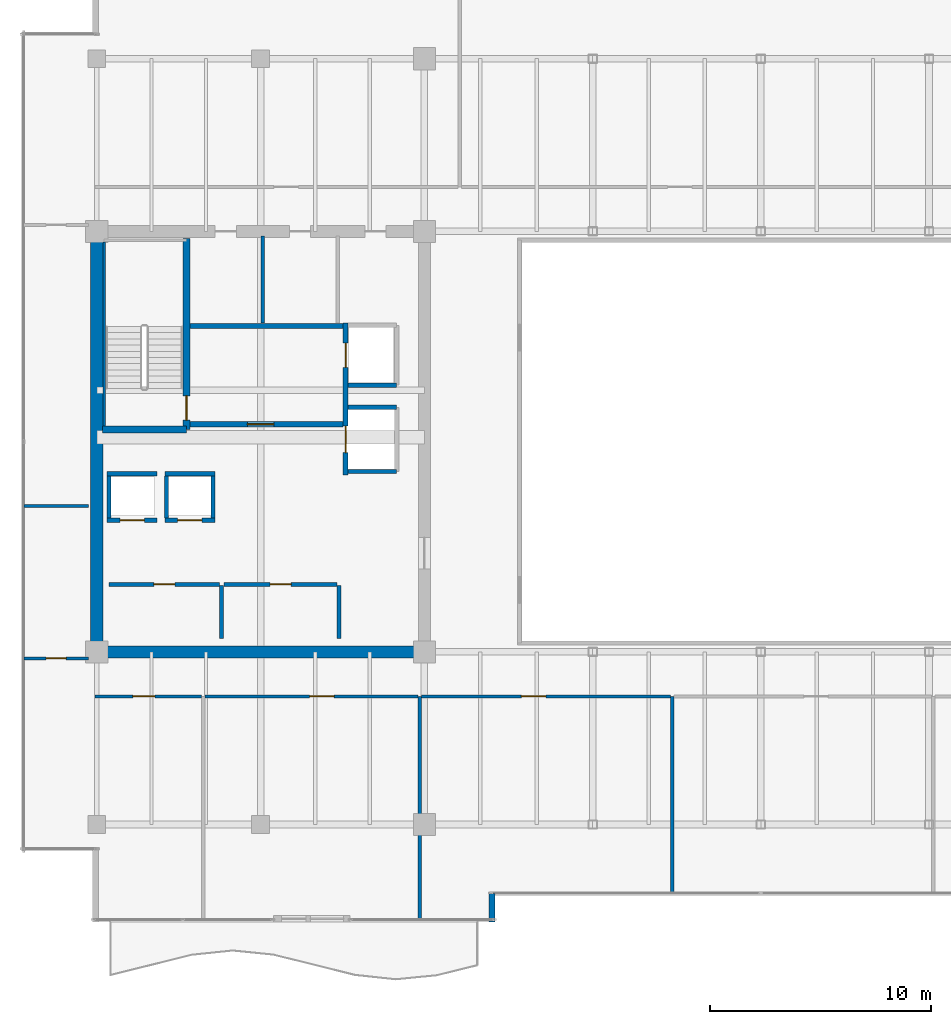
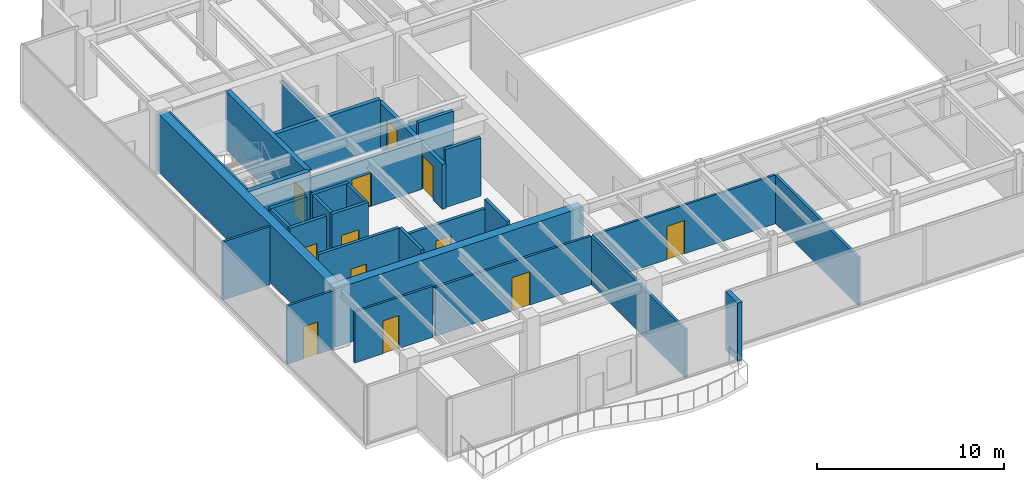
# One storey, part 28 of 34: 31 walls, 12 doors, 12 openings.
"""IFC4 building model written with IfcOpenShell, lengths in metres."""

import ifcopenshell
import ifcopenshell.guid

model = None  # the IFC model being written
_history = None  # IfcOwnerHistory: only IFC2X3 demands one
_inside = {}  # id of a spatial element -> (the spatial element, [elements in it])
_under = {}  # id of a project, library or spatial element -> (it, [spatial elements below it])
_declared = {}  # id of a project -> (the project, [libraries it declares])
_typed = {}  # id of a type object -> (the type object, [elements of that type])
_made_of = {}  # id of a material, layer set ... -> (it, [elements and type objects made of it])


def new_model(schema):
    """Start an empty IFC model of exactly this schema.

    Asked for "IFC4X3", IfcOpenShell would pick the latest addendum, in which some entities
    have other attributes; the version numbers below select the first issue.
    IFC2X3 requires an IfcOwnerHistory on every rooted entity: one is made here for all.
    """
    global model, _history
    if schema == "IFC4X3":
        model = ifcopenshell.file(schema_version=(4, 3, 0, 0))
    else:
        model = ifcopenshell.file(schema=schema)
    _inside.clear()
    _under.clear()
    _declared.clear()
    _typed.clear()
    _made_of.clear()
    _history = None
    if model.schema == "IFC2X3":
        org = make("IfcOrganization", Name="unknown")
        user = make(
            "IfcPersonAndOrganization",
            ThePerson=make("IfcPerson", FamilyName="unknown"),
            TheOrganization=org,
        )
        app = make(
            "IfcApplication",
            ApplicationDeveloper=org,
            Version="unknown",
            ApplicationFullName="unknown",
            ApplicationIdentifier="unknown",
        )
        _history = make(
            "IfcOwnerHistory",
            OwningUser=user,
            OwningApplication=app,
            ChangeAction="ADDED",
            CreationDate=0,
        )
    return model


def make(cls, **values):
    """One entity of the class cls with the attributes given. An attribute that is None is left unset."""
    return model.create_entity(
        cls, **{name: value for name, value in values.items() if value is not None}
    )


def rooted(cls, **values):
    """An entity with a GlobalId (a new one), such as an element, a storey or a relation."""
    return make(cls, GlobalId=ifcopenshell.guid.new(), OwnerHistory=_history, **values)


def si_unit(unit_type, name, prefix=None):
    """IfcSIUnit, for example si_unit("LENGTHUNIT", "METRE", prefix="MILLI")."""
    return make("IfcSIUnit", UnitType=unit_type, Prefix=prefix, Name=name)


def assignment(units):
    """IfcUnitAssignment: the units of a project."""
    return None if units is None else make("IfcUnitAssignment", Units=units)


def point(xyz):
    """IfcCartesianPoint."""
    return None if xyz is None else make("IfcCartesianPoint", Coordinates=xyz)


def direction(xyz):
    """IfcDirection."""
    return None if xyz is None else make("IfcDirection", DirectionRatios=xyz)


def frame(location, z_axis=None, x_axis=None):
    """IfcAxis2Placement3D, a coordinate frame: its origin and axes. An axis left out is left unset."""
    return make(
        "IfcAxis2Placement3D",
        Location=point(location),
        Axis=direction(z_axis),
        RefDirection=direction(x_axis),
    )


def frame_2d(location, x_axis=None):
    """IfcAxis2Placement2D, a coordinate frame in the plane: its origin and x axis."""
    return make(
        "IfcAxis2Placement2D", Location=point(location), RefDirection=direction(x_axis)
    )


def origin():
    """The frame at (0, 0, 0) with its axes left unset."""
    return frame((0.0, 0.0, 0.0))


def place(relative_to, where):
    """IfcLocalPlacement: puts the frame where relative to a parent placement (None: the world)."""
    return make(
        "IfcLocalPlacement", PlacementRelTo=relative_to, RelativePlacement=where
    )


def context(
    kind, dimensions, precision=None, world=None, true_north=None, identifier=None
):
    """IfcGeometricRepresentationContext, for example the 3D "Model" context."""
    return make(
        "IfcGeometricRepresentationContext",
        ContextIdentifier=identifier,
        ContextType=kind,
        CoordinateSpaceDimension=dimensions,
        Precision=precision,
        WorldCoordinateSystem=world,
        TrueNorth=true_north,
    )


def subcontext(parent, identifier, kind, view, scale=None):
    """IfcGeometricRepresentationSubContext, for example "Body" below "Model"."""
    return make(
        "IfcGeometricRepresentationSubContext",
        ContextIdentifier=identifier,
        ContextType=kind,
        ParentContext=parent,
        TargetScale=scale,
        TargetView=view,
    )


def project(units=None, contexts=None):
    """IfcProject with its units and contexts."""
    return rooted(
        "IfcProject",
        Name="project",
        RepresentationContexts=contexts,
        UnitsInContext=assignment(units),
    )


def spatial(cls, under=None, at=None, **own):
    """A site, building, storey or space (cls), placed at a placement, below another one or the project."""
    s = rooted(cls, ObjectPlacement=at, **own)
    if under is not None:
        _under.setdefault(under.id(), (under, []))[1].append(s)
    return s


def profile(cls, at=None, kind="AREA", **sizes):
    """A parametric profile (cls). Its sizes go by their IFC names, for example OverallWidth=200.0."""
    return make(cls, ProfileType=kind, Position=at, **sizes)


def rectangle(**sizes):
    """IfcRectangleProfileDef."""
    return profile("IfcRectangleProfileDef", **sizes)


def extrude(swept, where, along, depth):
    """IfcExtrudedAreaSolid: the profile swept, set in the frame where, extruded along a direction by depth."""
    return make(
        "IfcExtrudedAreaSolid",
        SweptArea=swept,
        Position=where,
        ExtrudedDirection=direction(along),
        Depth=depth,
    )


def shape(context_of_items, identifier, shape_type, items):
    """IfcShapeRepresentation: the items that make up one representation, for example the "Body"."""
    return make(
        "IfcShapeRepresentation",
        ContextOfItems=context_of_items,
        RepresentationIdentifier=identifier,
        RepresentationType=shape_type,
        Items=items,
    )


def source(mapping_origin, context_of_items, identifier, shape_type, items):
    """IfcRepresentationMap: a shape defined once, which mapped items show again and again."""
    return make(
        "IfcRepresentationMap",
        MappingOrigin=mapping_origin,
        MappedRepresentation=shape(context_of_items, identifier, shape_type, items),
    )


def transform(
    local_origin,
    x_axis=None,
    y_axis=None,
    z_axis=None,
    scale=None,
    scale2=None,
    scale3=None,
    uniform=True,
):
    """IfcCartesianTransformationOperator3D, or its non-uniform kind. x_axis, y_axis, z_axis: its Axis1, 2, 3."""
    if uniform:
        return make(
            "IfcCartesianTransformationOperator3D",
            Axis1=direction(x_axis),
            Axis2=direction(y_axis),
            LocalOrigin=point(local_origin),
            Scale=scale,
            Axis3=direction(z_axis),
        )
    return make(
        "IfcCartesianTransformationOperator3DnonUniform",
        Axis1=direction(x_axis),
        Axis2=direction(y_axis),
        LocalOrigin=point(local_origin),
        Scale=scale,
        Axis3=direction(z_axis),
        Scale2=scale2,
        Scale3=scale3,
    )


def mapped(mapping_source, mapping_target):
    """IfcMappedItem: shows the shape of a source again, moved by a transform."""
    return make(
        "IfcMappedItem", MappingSource=mapping_source, MappingTarget=mapping_target
    )


def material(Name=None, Category=None):
    """IfcMaterial."""
    return make("IfcMaterial", Name=Name, Category=Category)


def layer(
    of_material, thickness, ventilated=None, Name=None, Category=None, Priority=None
):
    """IfcMaterialLayer: one layer of a wall or slab, of a material (None: an air gap)."""
    return make(
        "IfcMaterialLayer",
        Material=of_material,
        LayerThickness=thickness,
        IsVentilated=ventilated,
        Name=Name,
        Category=Category,
        Priority=Priority,
    )


def layer_set(layers, Name=None):
    """IfcMaterialLayerSet."""
    return make("IfcMaterialLayerSet", MaterialLayers=layers, LayerSetName=Name)


def made_of(thing, what):
    """Note that an element or type object is made of a material, layer set ...; save() writes the relation."""
    if what is not None:
        _made_of.setdefault(what.id(), (what, []))[1].append(thing)
    return thing


def type_object(cls, material=None, **own):
    """A type object (cls), such as IfcWallType, which elements share."""
    return made_of(rooted(cls, **own), material)


def type_shapes(of_type, sources):
    """Give a type object the sources (RepresentationMaps) that its elements show as mapped items."""
    of_type.RepresentationMaps = sources


def element(
    cls,
    number,
    at=None,
    inside=None,
    cuts=None,
    type_object=None,
    material=None,
    context=None,
    identifier="Body",
    shape_type=None,
    held_by="IfcProductDefinitionShape",
    body=None,
    shapes=None,
    **own,
):
    """One element of the class cls, such as IfcWall. Its Tag is "e" and its number.

    at: its placement. inside: the storey or other place that contains it. cuts: it is an
    opening in that element (IfcRelVoidsElement). A single representation is given by context,
    identifier, shape_type and body (its items); several are given by shapes. held_by: the class
    of the entity that holds the representations. save() writes the other relations.
    """
    e = rooted(cls, Tag="e%d" % number, ObjectPlacement=at, **own)
    if body is not None:
        shapes = [shape(context, identifier, shape_type, body)]
    if shapes is not None:
        e.Representation = make(held_by, Representations=shapes)
    if inside is not None:
        _inside.setdefault(inside.id(), (inside, []))[1].append(e)
    if cuts is not None:
        rooted(
            "IfcRelVoidsElement", RelatingBuildingElement=cuts, RelatedOpeningElement=e
        )
    if type_object is not None:
        _typed.setdefault(type_object.id(), (type_object, []))[1].append(e)
    return made_of(e, material)


def fill(opening, filler):
    """IfcRelFillsElement: the door or window that sits in an opening."""
    return rooted(
        "IfcRelFillsElement",
        RelatingOpeningElement=opening,
        RelatedBuildingElement=filler,
    )


def aggregate(whole, parts):
    """IfcRelAggregates: a whole, such as a stair, and the parts it consists of."""
    return rooted("IfcRelAggregates", RelatingObject=whole, RelatedObjects=parts)


def save(model, path):
    """Write the relations noted so far, then the file.

    IfcRelAggregates (storeys below a building ...), IfcRelContainedInSpatialStructure (elements
    in a storey), IfcRelDefinesByType, IfcRelAssociatesMaterial and IfcRelDeclares: one each for
    every whole, place, type object, material and project.
    """
    for whole, parts in _under.values():
        aggregate(whole, parts)
    for where, things in _inside.values():
        rooted(
            "IfcRelContainedInSpatialStructure",
            RelatedElements=things,
            RelatingStructure=where,
        )
    for kind, things in _typed.values():
        rooted("IfcRelDefinesByType", RelatedObjects=things, RelatingType=kind)
    for what, things in _made_of.values():
        rooted("IfcRelAssociatesMaterial", RelatedObjects=things, RelatingMaterial=what)
    for by, libraries in _declared.values():
        rooted("IfcRelDeclares", RelatingContext=by, RelatedDefinitions=libraries)
    model.write(path)


model = new_model("IFC4")

# Units and contexts
model_context = context("Model", 3, precision=1e-05, world=origin(), true_north=direction((0.0, 1.0)))
body_context = subcontext(model_context, "Body", "Model", "MODEL_VIEW")
ifc_project = project(units=[si_unit("LENGTHUNIT", "METRE"), si_unit("AREAUNIT", "SQUARE_METRE"), si_unit("VOLUMEUNIT", "CUBIC_METRE"), si_unit("PLANEANGLEUNIT", "RADIAN"), si_unit("MASSUNIT", "GRAM", prefix="KILO")], contexts=[model_context])

# Site, building, storey
site_placement = place(None, origin())
site = spatial("IfcSite", under=ifc_project, at=site_placement, CompositionType="ELEMENT")
building_placement = place(site_placement, origin())
building = spatial("IfcBuilding", under=site, at=building_placement, Name="Haelvirn Gate Laboratories", CompositionType="ELEMENT")
storey_placement = place(building_placement, frame((0.0, 0.0, 205.5)))
storey = spatial("IfcBuildingStorey", under=building, at=storey_placement, Name="L49", CompositionType="ELEMENT", Elevation=205.5)

# Walls
ifc_material_1 = material(Name="Thermally-broken bronze aluminium rainscreen & mineral wool", Category="aluminium")
ifc_layer_1 = layer(ifc_material_1, 0.280029296875, Name="EW-TERR-280")
ifc_layer_set_1 = layer_set([ifc_layer_1], Name="Thermally-broken bronze aluminium rainscreen & mineral wool")
wall_type_1 = type_object("IfcWallType", Name="EW-TERR-280", PredefinedType="STANDARD", material=ifc_layer_set_1)
wall_1_placement = place(storey_placement, frame((25.260009765625, 2.60009765625, 0.0), z_axis=(0.0, 0.0, 1.0), x_axis=(0.0, 1.0, 0.0)))
element("IfcWall", 1, at=wall_1_placement, inside=storey, type_object=wall_type_1, Name="L49 Atrium Recess Bronze Return Wall 01", PredefinedType="STANDARD", context=body_context, shape_type="SweptSolid", body=[
    extrude(rectangle(XDim=1.29296875, YDim=0.280029296875, at=frame_2d((0.646484375, 0.0))), origin(), (0.0, 0.0, 1.0), 3.800048828125),
])
ifc_material_2 = material(Name="Double-layer acoustic gypsum laboratory partition", Category="gypsum")
ifc_layer_2 = layer(ifc_material_2, 0.159912109375, Name="IW-ACOUST-160")
ifc_layer_set_2 = layer_set([ifc_layer_2], Name="Double-layer acoustic gypsum laboratory partition")
wall_type_2 = type_object("IfcWallType", Name="IW-ACOUST-160", PredefinedType="PARTITIONING", material=ifc_layer_set_2)
wall_2_placement = place(storey_placement, frame((22.0, 2.7099609375, 0.0), z_axis=(0.0, 0.0, 1.0), x_axis=(0.0, 1.0, 0.0)))
element("IfcWall", 2, at=wall_2_placement, inside=storey, type_object=wall_type_2, Name="L49 Interior Wall IW-L49-SDIV-02", PredefinedType="PARTITIONING", context=body_context, shape_type="SweptSolid", body=[
    extrude(rectangle(XDim=10.080078125, YDim=0.159912109375, at=frame_2d((5.0400390625, 0.0))), origin(), (0.0, 0.0, 1.0), 3.135009765625),
])
wall_3_placement = place(storey_placement, frame((33.39990234375, 3.909912109375, 0.0), z_axis=(0.0, 0.0, 1.0), x_axis=(0.0, 1.0, 0.0)))
element("IfcWall", 3, at=wall_3_placement, inside=storey, type_object=wall_type_2, Name="L49 Interior Wall IW-L49-SDIV-03", PredefinedType="PARTITIONING", context=body_context, shape_type="SweptSolid", body=[
    extrude(rectangle(XDim=8.880126953125, YDim=0.159912109375, at=frame_2d((4.43994140625, 0.0))), origin(), (0.0, 0.0, 1.0), 3.135009765625),
])

# Wall, opening, door
ifc_material_3 = material(Name="Acoustic mineral-wool gypsum board partition", Category="gypsum")
ifc_layer_3 = layer(ifc_material_3, 0.139892578125, Name="IW-PART-140")
ifc_layer_set_3 = layer_set([ifc_layer_3], Name="Acoustic mineral-wool gypsum board partition")
wall_type_3 = type_object("IfcWallType", Name="IW-PART-140", PredefinedType="PARTITIONING", material=ifc_layer_set_3)
wall_4_placement = place(storey_placement, frame((7.31005859375, 12.7900390625, 0.0), z_axis=(0.0, 0.0, 1.0), x_axis=(1.0, 0.0, 0.0)))
wall_4 = element("IfcWall", 4, at=wall_4_placement, inside=storey, type_object=wall_type_3, Name="L49 Interior Wall IW-L49-SCORR-01", PredefinedType="PARTITIONING", context=body_context, shape_type="SweptSolid", body=[
    extrude(rectangle(XDim=4.81005859375, YDim=0.139892578125, at=frame_2d((2.405029296875, 0.0))), origin(), (0.0, 0.0, 1.0), 3.3349609375),
])
opening_1_placement = place(wall_4_placement, frame((1.718505859375, 0.0, 0.0)))
opening_1 = element("IfcOpeningElement", 5, at=opening_1_placement, cuts=wall_4, Name="Opening D2", PredefinedType="OPENING", context=body_context, shape_type="SweptSolid", body=[
    extrude(rectangle(XDim=1.0, YDim=2.14990234375, at=frame_2d((0.5, 1.074951171875))), frame((0.0, 0.080078125, 0.0), z_axis=(0.0, -1.0, 0.0), x_axis=(1.0, 0.0, 0.0)), (0.0, 0.0, 1.0), 0.159912109375),
])
ifc_material_4 = material(Name="Acoustic solid-core timber suite door", Category="wood")
door_type_1 = type_object("IfcDoorType", Name="DR-INT-1000", OperationType="NOTDEFINED", PredefinedType="DOOR", material=ifc_material_4)
shared_shape_1 = source(origin(), body_context, "Body", "SweptSolid", [
    extrude(rectangle(XDim=1.0, YDim=2.14990234375, at=frame_2d((0.5, 1.074951171875))), frame((0.0, 0.02490234375, 0.0), z_axis=(0.0, -1.0, 0.0), x_axis=(1.0, 0.0, 0.0)), (0.0, 0.0, 1.0), 0.050048828125),
])
type_shapes(door_type_1, [shared_shape_1])
door_1_placement = place(opening_1_placement, origin())
door_1 = element("IfcDoor", 6, at=door_1_placement, inside=storey, type_object=door_type_1, Name="L49 Peer-Review Seminar Room Door S1", OperationType="SINGLE_SWING_RIGHT", OverallHeight=2.14990234375, OverallWidth=1.0, PredefinedType="DOOR", context=body_context, shape_type="MappedRepresentation", body=[
    mapped(shared_shape_1, transform((0.0, 0.0, 0.0), scale=1.0)),
])
fill(opening_1, door_1)

wall_5_placement = place(storey_placement, frame((12.280029296875, 12.7900390625, 0.0), z_axis=(0.0, 0.0, 1.0), x_axis=(1.0, 0.0, 0.0)))
wall_5 = element("IfcWall", 7, at=wall_5_placement, inside=storey, type_object=wall_type_3, Name="L49 Interior Wall IW-L49-SCORR-02", PredefinedType="PARTITIONING", context=body_context, shape_type="SweptSolid", body=[
    extrude(rectangle(XDim=9.639892578125, YDim=0.139892578125, at=frame_2d((4.81982421875, 0.0))), origin(), (0.0, 0.0, 1.0), 3.197021484375),
])
opening_2_placement = place(wall_5_placement, frame((4.740478515625, 0.0, 0.0)))
opening_2 = element("IfcOpeningElement", 8, at=opening_2_placement, cuts=wall_5, Name="Opening D1", PredefinedType="OPENING", context=body_context, shape_type="SweptSolid", body=[
    extrude(rectangle(XDim=1.10009765625, YDim=2.179931640625, at=frame_2d((0.550048828125, 1.08984375))), frame((0.0, 0.080078125, 0.0), z_axis=(0.0, -1.0, 0.0), x_axis=(1.0, 0.0, 0.0)), (0.0, 0.0, 1.0), 0.159912109375),
])
ifc_material_5 = material(Name="Vision-panel acoustic solid-core timber lab door", Category="wood")
door_type_2 = type_object("IfcDoorType", Name="DR-LAB-1100", OperationType="NOTDEFINED", PredefinedType="DOOR", material=ifc_material_5)
shared_shape_2 = source(origin(), body_context, "Body", "SweptSolid", [
    extrude(rectangle(XDim=1.10009765625, YDim=2.179931640625, at=frame_2d((0.550048828125, 1.08984375))), frame((0.0, 0.02490234375, 0.0), z_axis=(0.0, -1.0, 0.0), x_axis=(1.0, 0.0, 0.0)), (0.0, 0.0, 1.0), 0.050048828125),
])
type_shapes(door_type_2, [shared_shape_2])
door_2_placement = place(opening_2_placement, origin())
door_2 = element("IfcDoor", 9, at=door_2_placement, inside=storey, type_object=door_type_2, Name="L49 Colloquium Conference Room Door S2", OperationType="SINGLE_SWING_LEFT", OverallHeight=2.179931640625, OverallWidth=1.10009765625, PredefinedType="DOOR", context=body_context, shape_type="MappedRepresentation", body=[
    mapped(shared_shape_2, transform((0.0, 0.0, 0.0), scale=1.0)),
])
fill(opening_2, door_2)

wall_6_placement = place(storey_placement, frame((22.080078125, 12.7900390625, 0.0), z_axis=(0.0, 0.0, 1.0), x_axis=(1.0, 0.0, 0.0)))
wall_6 = element("IfcWall", 10, at=wall_6_placement, inside=storey, type_object=wall_type_3, Name="L49 Interior Wall IW-L49-SCORR-03", PredefinedType="PARTITIONING", context=body_context, shape_type="SweptSolid", body=[
    extrude(rectangle(XDim=11.239990234375, YDim=0.139892578125, at=frame_2d((5.6201171875, 0.0))), origin(), (0.0, 0.0, 1.0), 3.197021484375),
])
opening_3_placement = place(wall_6_placement, frame((4.503662109375, 0.0, 0.0)))
opening_3 = element("IfcOpeningElement", 11, at=opening_3_placement, cuts=wall_6, Name="Opening D1", PredefinedType="OPENING", context=body_context, shape_type="SweptSolid", body=[
    extrude(rectangle(XDim=1.10009765625, YDim=2.179931640625, at=frame_2d((0.550048828125, 1.08984375))), frame((0.0, 0.080078125, 0.0), z_axis=(0.0, -1.0, 0.0), x_axis=(1.0, 0.0, 0.0)), (0.0, 0.0, 1.0), 0.159912109375),
])
door_3_placement = place(opening_3_placement, origin())
door_3 = element("IfcDoor", 12, at=door_3_placement, inside=storey, type_object=door_type_2, Name="L49 Cryo-EM Imaging Suite Door S3", OperationType="SINGLE_SWING_RIGHT", OverallHeight=2.179931640625, OverallWidth=1.10009765625, PredefinedType="DOOR", context=body_context, shape_type="MappedRepresentation", body=[
    mapped(shared_shape_2, transform((0.0, 0.0, 0.0), scale=1.0)),
])
fill(opening_3, door_3)

# Wall
wall_7_placement = place(storey_placement, frame((4.110107421875, 21.39990234375, 0.0), z_axis=(0.0, 0.0, 1.0), x_axis=(1.0, 0.0, 0.0)))
element("IfcWall", 13, at=wall_7_placement, inside=storey, type_object=wall_type_3, Name="L49 Interior Wall IW-L49-WZ3-MID", PredefinedType="PARTITIONING", context=body_context, shape_type="SweptSolid", body=[
    extrude(rectangle(XDim=2.909912109375, YDim=0.139892578125, at=frame_2d((1.455078125, 0.0))), origin(), (0.0, 0.0, 1.0), 3.800048828125),
])

# Wall, opening, door
wall_8_placement = place(storey_placement, frame((4.110107421875, 14.5048828125, 0.0), z_axis=(0.0, 0.0, 1.0), x_axis=(1.0, 0.0, 0.0)))
wall_8 = element("IfcWall", 14, at=wall_8_placement, inside=storey, type_object=wall_type_3, Name="L49 Interior Wall IW-L49-WZ3-ENT-S", PredefinedType="PARTITIONING", context=body_context, shape_type="SweptSolid", body=[
    extrude(rectangle(XDim=2.909912109375, YDim=0.139892578125, at=frame_2d((1.455078125, 0.0))), origin(), (0.0, 0.0, 1.0), 3.800048828125),
])
opening_4_placement = place(wall_8_placement, frame((1.0048828125, 0.0, 0.0)))
opening_4 = element("IfcOpeningElement", 15, at=opening_4_placement, cuts=wall_8, Name="Opening D4", PredefinedType="OPENING", context=body_context, shape_type="SweptSolid", body=[
    extrude(rectangle(XDim=0.89990234375, YDim=2.10009765625, at=frame_2d((0.449951171875, 1.050048828125))), frame((0.0, 0.080078125, 0.0), z_axis=(0.0, -1.0, 0.0), x_axis=(1.0, 0.0, 0.0)), (0.0, 0.0, 1.0), 0.159912109375),
])
ifc_material_6 = material(Name="Glazed aluminium-framed write-up door", Category="aluminium")
door_type_3 = type_object("IfcDoorType", Name="DR-OFF-900", OperationType="NOTDEFINED", PredefinedType="DOOR", material=ifc_material_6)
shared_shape_3 = source(origin(), body_context, "Body", "SweptSolid", [
    extrude(rectangle(XDim=0.89990234375, YDim=2.10009765625, at=frame_2d((0.449951171875, 1.050048828125))), frame((0.0, 0.02490234375, 0.0), z_axis=(0.0, -1.0, 0.0), x_axis=(1.0, 0.0, 0.0)), (0.0, 0.0, 1.0), 0.050048828125),
])
type_shapes(door_type_3, [shared_shape_3])
door_4_placement = place(opening_4_placement, origin())
door_4 = element("IfcDoor", 16, at=door_4_placement, inside=storey, type_object=door_type_3, Name="L49 Laser-Safety Consult Room Door W-S", OperationType="SINGLE_SWING_LEFT", OverallHeight=2.10009765625, OverallWidth=0.89990234375, PredefinedType="DOOR", context=body_context, shape_type="MappedRepresentation", body=[
    mapped(shared_shape_3, transform((0.0, 0.0, 0.0), scale=1.0)),
])
fill(opening_4, door_4)

# Walls
ifc_material_7 = material(Name="Cement-board restroom plumbing chase wall", Category="gypsum")
ifc_layer_4 = layer(ifc_material_7, 0.155029296875, Name="IW-PLUMB-160")
ifc_layer_set_4 = layer_set([ifc_layer_4], Name="Cement-board restroom plumbing chase wall")
wall_type_4 = type_object("IfcWallType", Name="IW-PLUMB-160", PredefinedType="PLUMBINGWALL", material=ifc_layer_set_4)
wall_9_placement = place(storey_placement, frame((14.889892578125, 29.64990234375, 0.0), z_axis=(0.0, 0.0, 1.0), x_axis=(0.0, 1.0, 0.0)))
element("IfcWall", 17, at=wall_9_placement, inside=storey, type_object=wall_type_4, Name="L49 Interior Wall IW-L49-W-CDIV-1", PredefinedType="PLUMBINGWALL", context=body_context, shape_type="SweptSolid", body=[
    extrude(rectangle(XDim=3.93017578125, YDim=0.155029296875, at=frame_2d((1.965087890625, 0.0))), origin(), (0.0, 0.0, 1.0), 3.197021484375),
])
ifc_material_8 = material(Name="Concrete C40/50", Category="concrete")
ifc_layer_5 = layer(ifc_material_8, 0.179931640625, Name="IW-SHAFT-180")
ifc_layer_set_5 = layer_set([ifc_layer_5], Name="Concrete C40/50")
wall_type_5 = type_object("IfcWallType", Name="IW-SHAFT-180", PredefinedType="SOLIDWALL", material=ifc_layer_set_5)
for number, where, z_axis, x_axis, name in (
    (18, (7.949951171875, 20.85009765625, 0.0), (0.0, 0.0, 1.0), (0.0, 1.0, 0.0), "L49 Interior Wall IW-L49-PL9-SD"),
    (19, (10.550048828125, 20.85009765625, 0.0), (0.0, 0.0, 1.0), (0.0, 1.0, 0.0), "L49 Interior Wall IW-L49-PL10-SD"),
    (20, (12.64990234375, 20.85009765625, 0.0), (0.0, 0.0, 1.0), (0.0, 1.0, 0.0), "L49 Interior Wall IW-L49-PL10-SDE"),
):
    element("IfcWall", number, at=place(storey_placement, frame(where, z_axis=z_axis, x_axis=x_axis)), inside=storey, type_object=wall_type_5, Name=name, PredefinedType="SOLIDWALL", context=body_context, shape_type="SweptSolid", body=[
        extrude(rectangle(XDim=1.89990234375, YDim=0.179931640625, at=frame_2d((0.949951171875, 0.0))), origin(), (0.0, 0.0, 1.0), 3.800048828125),
    ])

# Wall, opening, door
wall_10_placement = place(storey_placement, frame((7.949951171875, 17.85009765625, 0.0), z_axis=(0.0, 0.0, 1.0), x_axis=(1.0, 0.0, 0.0)))
wall_10 = element("IfcWall", 21, at=wall_10_placement, inside=storey, type_object=wall_type_5, Name="L49 Interior Wall IW-L49-W-FREED-HN-1", PredefinedType="SOLIDWALL", context=body_context, shape_type="SweptSolid", body=[
    extrude(rectangle(XDim=5.0, YDim=0.179931640625, at=frame_2d((2.5, 0.0))), origin(), (0.0, 0.0, 1.0), 3.800048828125),
])
opening_5_placement = place(wall_10_placement, frame((2.02490234375, 0.0, 0.0)))
opening_5 = element("IfcOpeningElement", 22, at=opening_5_placement, cuts=wall_10, Name="Opening FD4", PredefinedType="OPENING", context=body_context, shape_type="SweptSolid", body=[
    extrude(rectangle(XDim=0.949951171875, YDim=2.14990234375, at=frame_2d((0.47509765625, 1.074951171875))), frame((0.0, 0.10009765625, 0.0), z_axis=(0.0, -1.0, 0.0), x_axis=(1.0, 0.0, 0.0)), (0.0, 0.0, 1.0), 0.199951171875),
])
ifc_material_9 = material(Name="Fire-rated steel SM355 core service door", Category="steel")
door_type_4 = type_object("IfcDoorType", Name="DR-FD-950", OperationType="NOTDEFINED", PredefinedType="DOOR", material=ifc_material_9)
shared_shape_4 = source(origin(), body_context, "Body", "SweptSolid", [
    extrude(rectangle(XDim=0.949951171875, YDim=2.14990234375, at=frame_2d((0.47509765625, 1.074951171875))), frame((0.0, 0.02490234375, 0.0), z_axis=(0.0, -1.0, 0.0), x_axis=(1.0, 0.0, 0.0)), (0.0, 0.0, 1.0), 0.050048828125),
])
type_shapes(door_type_4, [shared_shape_4])
door_5_placement = place(opening_5_placement, origin())
door_5 = element("IfcDoor", 23, at=door_5_placement, inside=storey, type_object=door_type_4, Name="L49 Cryogenic Specimen Biobank Door", OperationType="SINGLE_SWING_LEFT", OverallHeight=2.14990234375, OverallWidth=0.949951171875, PredefinedType="DOOR", context=body_context, shape_type="MappedRepresentation", body=[
    mapped(shared_shape_4, transform((0.0, 0.0, 0.0), scale=1.0)),
])
fill(opening_5, door_5)

# Wall
wall_11_placement = place(storey_placement, frame((13.0400390625, 15.39990234375, 0.0), z_axis=(0.0, 0.0, 1.0), x_axis=(0.0, 1.0, 0.0)))
element("IfcWall", 24, at=wall_11_placement, inside=storey, type_object=wall_type_5, Name="L49 Interior Wall IW-L49-W-FREED-HE-1", PredefinedType="SOLIDWALL", context=body_context, shape_type="SweptSolid", body=[
    extrude(rectangle(XDim=2.400146484375, YDim=0.179931640625, at=frame_2d((1.2001953125, 0.0))), origin(), (0.0, 0.0, 1.0), 3.800048828125),
])

# Wall, opening, door
wall_12_placement = place(storey_placement, frame((13.14990234375, 17.85009765625, 0.0), z_axis=(0.0, 0.0, 1.0), x_axis=(1.0, 0.0, 0.0)))
wall_12 = element("IfcWall", 25, at=wall_12_placement, inside=storey, type_object=wall_type_5, Name="L49 Interior Wall IW-L49-W-FREED-HN-2", PredefinedType="SOLIDWALL", context=body_context, shape_type="SweptSolid", body=[
    extrude(rectangle(XDim=5.10009765625, YDim=0.179931640625, at=frame_2d((2.550048828125, 0.0))), origin(), (0.0, 0.0, 1.0), 3.197021484375),
])
opening_6_placement = place(wall_12_placement, frame((2.074951171875, 0.0, 0.0)))
opening_6 = element("IfcOpeningElement", 26, at=opening_6_placement, cuts=wall_12, Name="Opening FD4", PredefinedType="OPENING", context=body_context, shape_type="SweptSolid", body=[
    extrude(rectangle(XDim=0.949951171875, YDim=2.14990234375, at=frame_2d((0.47509765625, 1.074951171875))), frame((0.0, 0.10009765625, 0.0), z_axis=(0.0, -1.0, 0.0), x_axis=(1.0, 0.0, 0.0)), (0.0, 0.0, 1.0), 0.199951171875),
])
door_6_placement = place(opening_6_placement, origin())
door_6 = element("IfcDoor", 27, at=door_6_placement, inside=storey, type_object=door_type_4, Name="L49 Cryo-Assay Preparation Laboratory Door", OperationType="SINGLE_SWING_RIGHT", OverallHeight=2.14990234375, OverallWidth=0.949951171875, PredefinedType="DOOR", context=body_context, shape_type="MappedRepresentation", body=[
    mapped(shared_shape_4, transform((0.0, 0.0, 0.0), scale=1.0)),
])
fill(opening_6, door_6)

# Wall
wall_13_placement = place(storey_placement, frame((18.340087890625, 15.39990234375, 0.0), z_axis=(0.0, 0.0, 1.0), x_axis=(0.0, 1.0, 0.0)))
element("IfcWall", 28, at=wall_13_placement, inside=storey, type_object=wall_type_5, Name="L49 Interior Wall IW-L49-W-FREED-HE-2", PredefinedType="SOLIDWALL", context=body_context, shape_type="SweptSolid", body=[
    extrude(rectangle(XDim=2.400146484375, YDim=0.179931640625, at=frame_2d((1.2001953125, 0.0))), origin(), (0.0, 0.0, 1.0), 3.800048828125),
])

# Wall, opening, door
ifc_layer_6 = layer(ifc_material_8, 0.199951171875, Name="IW-SHAFT-200")
ifc_layer_set_6 = layer_set([ifc_layer_6], Name="Concrete C40/50")
wall_type_6 = type_object("IfcWallType", Name="IW-SHAFT-200", PredefinedType="SOLIDWALL", material=ifc_layer_set_6)
wall_14_placement = place(storey_placement, frame((7.8701171875, 20.75, 0.0), z_axis=(0.0, 0.0, 1.0), x_axis=(1.0, 0.0, 0.0)))
wall_14 = element("IfcWall", 29, at=wall_14_placement, inside=storey, type_object=wall_type_6, Name="L49 Interior Wall IW-L49-PL9-FR", PredefinedType="SOLIDWALL", context=body_context, shape_type="SweptSolid", body=[
    extrude(rectangle(XDim=2.259765625, YDim=0.199951171875, at=frame_2d((1.1298828125, 0.0))), origin(), (0.0, 0.0, 1.0), 3.800048828125),
])
opening_7_placement = place(wall_14_placement, frame((0.580078125, 0.0, 0.0)))
opening_7 = element("IfcOpeningElement", 30, at=opening_7_placement, cuts=wall_14, Name="Opening LD2", PredefinedType="OPENING", context=body_context, shape_type="SweptSolid", body=[
    extrude(rectangle(XDim=1.10009765625, YDim=2.219970703125, at=frame_2d((0.550048828125, 1.10986328125))), frame((0.0, 0.10986328125, 0.0), z_axis=(0.0, -1.0, 0.0), x_axis=(1.0, 0.0, 0.0)), (0.0, 0.0, 1.0), 0.219970703125),
])
ifc_material_10 = material(Name="Bronze stainless 316L sliding lift landing door")
door_type_5 = type_object("IfcDoorType", Name="DR-LD-1100", OperationType="NOTDEFINED", PredefinedType="USERDEFINED", material=ifc_material_10)
shared_shape_5 = source(origin(), body_context, "Body", "SweptSolid", [
    extrude(rectangle(XDim=1.10009765625, YDim=2.219970703125, at=frame_2d((0.550048828125, 1.10986328125))), frame((0.0, 0.02490234375, 0.0), z_axis=(0.0, -1.0, 0.0), x_axis=(1.0, 0.0, 0.0)), (0.0, 0.0, 1.0), 0.050048828125),
])
type_shapes(door_type_5, [shared_shape_5])
door_7_placement = place(opening_7_placement, origin())
door_7 = element("IfcDoor", 31, at=door_7_placement, inside=storey, type_object=door_type_5, Name="L49 Passenger Lift PL9 Landing Door", ObjectType="LANDING_DOOR", OperationType="SLIDING_TO_LEFT", OverallHeight=2.219970703125, OverallWidth=1.10009765625, PredefinedType="USERDEFINED", context=body_context, shape_type="MappedRepresentation", body=[
    mapped(shared_shape_5, transform((0.0, 0.0, 0.0), scale=1.0)),
])
fill(opening_7, door_7)

# Wall
wall_15_placement = place(storey_placement, frame((7.8701171875, 22.85009765625, 0.0), z_axis=(0.0, 0.0, 1.0), x_axis=(1.0, 0.0, 0.0)))
element("IfcWall", 32, at=wall_15_placement, inside=storey, type_object=wall_type_6, Name="L49 Interior Wall IW-L49-PL9-BK", PredefinedType="SOLIDWALL", context=body_context, shape_type="SweptSolid", body=[
    extrude(rectangle(XDim=2.259765625, YDim=0.199951171875, at=frame_2d((1.1298828125, 0.0))), origin(), (0.0, 0.0, 1.0), 3.800048828125),
])

# Wall, opening, door
wall_16_placement = place(storey_placement, frame((10.469970703125, 20.75, 0.0), z_axis=(0.0, 0.0, 1.0), x_axis=(1.0, 0.0, 0.0)))
wall_16 = element("IfcWall", 33, at=wall_16_placement, inside=storey, type_object=wall_type_6, Name="L49 Interior Wall IW-L49-PL10-FR", PredefinedType="SOLIDWALL", context=body_context, shape_type="SweptSolid", body=[
    extrude(rectangle(XDim=2.260009765625, YDim=0.199951171875, at=frame_2d((1.1298828125, 0.0))), origin(), (0.0, 0.0, 1.0), 3.800048828125),
])
opening_8_placement = place(wall_16_placement, frame((0.580078125, 0.0, 0.0)))
opening_8 = element("IfcOpeningElement", 34, at=opening_8_placement, cuts=wall_16, Name="Opening LD2", PredefinedType="OPENING", context=body_context, shape_type="SweptSolid", body=[
    extrude(rectangle(XDim=1.10009765625, YDim=2.219970703125, at=frame_2d((0.550048828125, 1.10986328125))), frame((0.0, 0.10986328125, 0.0), z_axis=(0.0, -1.0, 0.0), x_axis=(1.0, 0.0, 0.0)), (0.0, 0.0, 1.0), 0.219970703125),
])
door_8_placement = place(opening_8_placement, origin())
door_8 = element("IfcDoor", 35, at=door_8_placement, inside=storey, type_object=door_type_5, Name="L49 Passenger Lift PL10 Landing Door", ObjectType="LANDING_DOOR", OperationType="SLIDING_TO_RIGHT", OverallHeight=2.219970703125, OverallWidth=1.10009765625, PredefinedType="USERDEFINED", context=body_context, shape_type="MappedRepresentation", body=[
    mapped(shared_shape_5, transform((0.0, 0.0, 0.0), scale=1.0)),
])
fill(opening_8, door_8)

# Walls
wall_17_placement = place(storey_placement, frame((10.469970703125, 22.85009765625, 0.0), z_axis=(0.0, 0.0, 1.0), x_axis=(1.0, 0.0, 0.0)))
element("IfcWall", 36, at=wall_17_placement, inside=storey, type_object=wall_type_6, Name="L49 Interior Wall IW-L49-PL10-BK", PredefinedType="SOLIDWALL", context=body_context, shape_type="SweptSolid", body=[
    extrude(rectangle(XDim=2.260009765625, YDim=0.199951171875, at=frame_2d((1.1298828125, 0.0))), origin(), (0.0, 0.0, 1.0), 3.800048828125),
])
wall_18_placement = place(storey_placement, frame((18.760009765625, 26.85009765625, 0.0), z_axis=(0.0, 0.0, 1.0), x_axis=(1.0, 0.0, 0.0)))
element("IfcWall", 37, at=wall_18_placement, inside=storey, type_object=wall_type_6, Name="L49 Interior Wall IW-L49-FL1-S", PredefinedType="SOLIDWALL", context=body_context, shape_type="SweptSolid", body=[
    extrude(rectangle(XDim=2.18994140625, YDim=0.199951171875, at=frame_2d((1.094970703125, 0.0))), origin(), (0.0, 0.0, 1.0), 3.197021484375),
])
for number, where, z_axis, x_axis, name in (
    (38, (18.760009765625, 25.85009765625, 0.0), (0.0, 0.0, 1.0), (1.0, 0.0, 0.0), "L49 Interior Wall IW-L49-SL1-N"),
    (39, (18.760009765625, 22.949951171875, 0.0), (0.0, 0.0, 1.0), (1.0, 0.0, 0.0), "L49 Interior Wall IW-L49-SL1-S"),
):
    element("IfcWall", number, at=place(storey_placement, frame(where, z_axis=z_axis, x_axis=x_axis)), inside=storey, type_object=wall_type_6, Name=name, PredefinedType="SOLIDWALL", context=body_context, shape_type="SweptSolid", body=[
        extrude(rectangle(XDim=2.18994140625, YDim=0.199951171875, at=frame_2d((1.094970703125, 0.0))), origin(), (0.0, 0.0, 1.0), 3.800048828125),
    ])

# Wall, opening, door
ifc_layer_7 = layer(ifc_material_8, 0.239990234375, Name="IW-SHAFT-240")
ifc_layer_set_7 = layer_set([ifc_layer_7], Name="Concrete C40/50")
wall_type_7 = type_object("IfcWallType", Name="IW-SHAFT-240", PredefinedType="SOLIDWALL", material=ifc_layer_set_7)
wall_19_placement = place(storey_placement, frame((11.60009765625, 25.080078125, 0.0), z_axis=(0.0, 0.0, 1.0), x_axis=(1.0, 0.0, 0.0)))
wall_19 = element("IfcWall", 40, at=wall_19_placement, inside=storey, type_object=wall_type_7, Name="L49 Interior Wall IW-L49-W-FF-S", PredefinedType="SOLIDWALL", context=body_context, shape_type="SweptSolid", body=[
    extrude(rectangle(XDim=6.919921875, YDim=0.239990234375, at=frame_2d((3.4599609375, 0.0))), origin(), (0.0, 0.0, 1.0), 3.197021484375),
])
opening_9_placement = place(wall_19_placement, frame((2.60009765625, 0.0, 0.0)))
opening_9 = element("IfcOpeningElement", 41, at=opening_9_placement, cuts=wall_19, Name="Opening FD2", PredefinedType="OPENING", context=body_context, shape_type="SweptSolid", body=[
    extrude(rectangle(XDim=1.199951171875, YDim=2.159912109375, at=frame_2d((0.60009765625, 1.080078125))), frame((0.0, 0.1298828125, 0.0), z_axis=(0.0, -1.0, 0.0), x_axis=(1.0, 0.0, 0.0)), (0.0, 0.0, 1.0), 0.260009765625),
])
ifc_material_11 = material(Name="Fire-rated steel SM355 compartment door", Category="steel")
door_type_6 = type_object("IfcDoorType", Name="DR-FD-1200", OperationType="NOTDEFINED", PredefinedType="DOOR", material=ifc_material_11)
shared_shape_6 = source(origin(), body_context, "Body", "SweptSolid", [
    extrude(rectangle(XDim=1.199951171875, YDim=2.159912109375, at=frame_2d((0.60009765625, 1.080078125))), frame((0.0, 0.02490234375, 0.0), z_axis=(0.0, -1.0, 0.0), x_axis=(1.0, 0.0, 0.0)), (0.0, 0.0, 1.0), 0.050048828125),
])
type_shapes(door_type_6, [shared_shape_6])
door_9_placement = place(opening_9_placement, origin())
door_9 = element("IfcDoor", 42, at=door_9_placement, inside=storey, type_object=door_type_6, Name="L49 West Firefighting Lobby Door", OperationType="SINGLE_SWING_RIGHT", OverallHeight=2.159912109375, OverallWidth=1.199951171875, PredefinedType="DOOR", context=body_context, shape_type="MappedRepresentation", body=[
    mapped(shared_shape_6, transform((0.0, 0.0, 0.0), scale=1.0)),
])
fill(opening_9, door_9)

# Wall
wall_20_placement = place(storey_placement, frame((11.60009765625, 29.52001953125, 0.0), z_axis=(0.0, 0.0, 1.0), x_axis=(1.0, 0.0, 0.0)))
element("IfcWall", 43, at=wall_20_placement, inside=storey, type_object=wall_type_7, Name="L49 Interior Wall IW-L49-W-FF-N", PredefinedType="SOLIDWALL", context=body_context, shape_type="SweptSolid", body=[
    extrude(rectangle(XDim=6.919921875, YDim=0.239990234375, at=frame_2d((3.4599609375, 0.0))), origin(), (0.0, 0.0, 1.0), 3.197021484375),
])

# Wall, openings, doors
wall_21_placement = place(storey_placement, frame((18.639892578125, 22.800048828125, 0.0), z_axis=(0.0, 0.0, 1.0), x_axis=(0.0, 1.0, 0.0)))
wall_21 = element("IfcWall", 44, at=wall_21_placement, inside=storey, type_object=wall_type_7, Name="L49 Interior Wall IW-L49-W-FF-E", PredefinedType="SOLIDWALL", context=body_context, shape_type="SweptSolid", body=[
    extrude(rectangle(XDim=6.849853515625, YDim=0.239990234375, at=frame_2d((3.4248046875, 0.0))), origin(), (0.0, 0.0, 1.0), 2.93505859375),
])
opening_10_placement = place(wall_21_placement, frame((4.85009765625, 0.0, 0.0)))
opening_10 = element("IfcOpeningElement", 45, at=opening_10_placement, cuts=wall_21, Name="Opening LD2", PredefinedType="OPENING", context=body_context, shape_type="SweptSolid", body=[
    extrude(rectangle(XDim=1.10009765625, YDim=2.219970703125, at=frame_2d((0.550048828125, 1.10986328125))), frame((0.0, 0.1298828125, 0.0), z_axis=(0.0, -1.0, 0.0), x_axis=(1.0, 0.0, 0.0)), (0.0, 0.0, 1.0), 0.260009765625),
])
opening_11_placement = place(wall_21_placement, frame((1.0, 0.0, 0.0)))
opening_11 = element("IfcOpeningElement", 46, at=opening_11_placement, cuts=wall_21, Name="Opening LD1", PredefinedType="OPENING", context=body_context, shape_type="SweptSolid", body=[
    extrude(rectangle(XDim=1.199951171875, YDim=2.219970703125, at=frame_2d((0.60009765625, 1.10986328125))), frame((0.0, 0.1298828125, 0.0), z_axis=(0.0, -1.0, 0.0), x_axis=(1.0, 0.0, 0.0)), (0.0, 0.0, 1.0), 0.260009765625),
])
door_10_placement = place(opening_10_placement, origin())
door_10 = element("IfcDoor", 47, at=door_10_placement, inside=storey, type_object=door_type_5, Name="L49 Firefighting Lift FL1 Landing Door", ObjectType="LANDING_DOOR", OperationType="SLIDING_TO_LEFT", OverallHeight=2.219970703125, OverallWidth=1.10009765625, PredefinedType="USERDEFINED", context=body_context, shape_type="MappedRepresentation", body=[
    mapped(shared_shape_5, transform((0.0, 0.0, 0.0), scale=1.0)),
])
fill(opening_10, door_10)
ifc_material_12 = material(Name="Stainless steel 316L sliding goods landing door", Category="steel")
door_type_7 = type_object("IfcDoorType", Name="DR-LD-1200", OperationType="NOTDEFINED", PredefinedType="USERDEFINED", material=ifc_material_12)
shared_shape_7 = source(origin(), body_context, "Body", "SweptSolid", [
    extrude(rectangle(XDim=1.199951171875, YDim=2.219970703125, at=frame_2d((0.60009765625, 1.10986328125))), frame((0.0, 0.02490234375, 0.0), z_axis=(0.0, -1.0, 0.0), x_axis=(1.0, 0.0, 0.0)), (0.0, 0.0, 1.0), 0.050048828125),
])
type_shapes(door_type_7, [shared_shape_7])
door_11_placement = place(opening_11_placement, origin())
door_11 = element("IfcDoor", 48, at=door_11_placement, inside=storey, type_object=door_type_7, Name="L49 Service Lift SL1 Landing Door", ObjectType="LANDING_DOOR", OperationType="SLIDING_TO_RIGHT", OverallHeight=2.219970703125, OverallWidth=1.199951171875, PredefinedType="USERDEFINED", context=body_context, shape_type="MappedRepresentation", body=[
    mapped(shared_shape_7, transform((0.0, 0.0, 0.0), scale=1.0)),
])
fill(opening_11, door_11)

# Walls
ifc_material_13 = material(Name="Concrete C50/60", Category="concrete")
ifc_layer_8 = layer(ifc_material_13, 0.550048828125, Name="SW-CORE-550")
ifc_layer_set_8 = layer_set([ifc_layer_8], Name="Concrete C50/60")
wall_type_8 = type_object("IfcWallType", Name="SW-CORE-550", PredefinedType="SHEAR", material=ifc_layer_set_8)
wall_22_placement = place(storey_placement, frame((7.125, 14.800048828125, 0.0), z_axis=(0.0, 0.0, 1.0), x_axis=(1.0, 0.0, 0.0)))
element("IfcWall", 49, at=wall_22_placement, inside=storey, type_object=wall_type_8, Name="L49 W Core Shear Wall S", PredefinedType="SHEAR", context=body_context, shape_type="SweptSolid", body=[
    extrude(rectangle(XDim=15.35009765625, YDim=0.550048828125, at=frame_2d((7.675048828125, 0.0))), origin(), (0.0, 0.0, 1.0), 3.800048828125),
])
wall_23_placement = place(storey_placement, frame((7.39990234375, 15.074951171875, 0.0), z_axis=(0.0, 0.0, 1.0), x_axis=(0.0, 1.0, 0.0)))
element("IfcWall", 50, at=wall_23_placement, inside=storey, type_object=wall_type_8, Name="L49 W Core Shear Wall W", PredefinedType="SHEAR", context=body_context, shape_type="SweptSolid", body=[
    extrude(rectangle(XDim=18.449951171875, YDim=0.550048828125, at=frame_2d((9.22509765625, 0.0))), origin(), (0.0, 0.0, 1.0), 3.800048828125),
])
ifc_layer_9 = layer(ifc_material_13, 0.1201171875, Name="SW-LINER-120")
ifc_layer_set_9 = layer_set([ifc_layer_9], Name="Concrete C50/60")
wall_type_9 = type_object("IfcWallType", Name="SW-LINER-120", PredefinedType="SOLIDWALL", material=ifc_layer_set_9)
wall_24_placement = place(storey_placement, frame((7.72998046875, 25.0, 0.0), z_axis=(0.0, 0.0, 1.0), x_axis=(0.0, 1.0, 0.0)))
element("IfcWall", 51, at=wall_24_placement, inside=storey, type_object=wall_type_9, Name="L49 W Core Stair Shaft Liner Wall OUT", PredefinedType="SOLIDWALL", context=body_context, shape_type="SweptSolid", body=[
    extrude(rectangle(XDim=8.320068359375, YDim=0.1201171875, at=frame_2d((4.16015625, 0.0))), origin(), (0.0, 0.0, 1.0), 3.800048828125),
])

# Wall, opening, door
ifc_layer_10 = layer(ifc_material_13, 0.300048828125, Name="SW-STAIR-300")
ifc_layer_set_10 = layer_set([ifc_layer_10], Name="Concrete C50/60")
wall_type_10 = type_object("IfcWallType", Name="SW-STAIR-300", PredefinedType="SHEAR", material=ifc_layer_set_10)
wall_25_placement = place(storey_placement, frame((11.449951171875, 24.85009765625, 0.0), z_axis=(0.0, 0.0, 1.0), x_axis=(0.0, 1.0, 0.0)))
wall_25 = element("IfcWall", 52, at=wall_25_placement, inside=storey, type_object=wall_type_10, Name="L49 W Core Stair Shaft Structural Wall IN", PredefinedType="SHEAR", context=body_context, shape_type="SweptSolid", body=[
    extrude(rectangle(XDim=8.6298828125, YDim=0.300048828125, at=frame_2d((4.31494140625, 0.0))), origin(), (0.0, 0.0, 1.0), 3.800048828125),
])
opening_12_placement = place(wall_25_placement, frame((0.419921875, 0.0, 0.0)))
opening_12 = element("IfcOpeningElement", 53, at=opening_12_placement, cuts=wall_25, Name="Opening FD3", PredefinedType="OPENING", context=body_context, shape_type="SweptSolid", body=[
    extrude(rectangle(XDim=1.10009765625, YDim=2.14990234375, at=frame_2d((0.550048828125, 1.074951171875))), frame((0.0, 0.16015625, 0.0), z_axis=(0.0, -1.0, 0.0), x_axis=(1.0, 0.0, 0.0)), (0.0, 0.0, 1.0), 0.320068359375),
])
ifc_material_14 = material(Name="Fire-rated steel SM355 escape stair door", Category="steel")
door_type_8 = type_object("IfcDoorType", Name="DR-FD-1100", OperationType="NOTDEFINED", PredefinedType="DOOR", material=ifc_material_14)
shared_shape_8 = source(origin(), body_context, "Body", "SweptSolid", [
    extrude(rectangle(XDim=1.10009765625, YDim=2.14990234375, at=frame_2d((0.550048828125, 1.074951171875))), frame((0.0, 0.02490234375, 0.0), z_axis=(0.0, -1.0, 0.0), x_axis=(1.0, 0.0, 0.0)), (0.0, 0.0, 1.0), 0.050048828125),
])
type_shapes(door_type_8, [shared_shape_8])
door_12_placement = place(opening_12_placement, origin())
door_12 = element("IfcDoor", 54, at=door_12_placement, inside=storey, type_object=door_type_8, Name="L49 Escape Stair ST1 Fire Door", OperationType="SINGLE_SWING_LEFT", OverallHeight=2.14990234375, OverallWidth=1.10009765625, PredefinedType="DOOR", context=body_context, shape_type="MappedRepresentation", body=[
    mapped(shared_shape_8, transform((0.0, 0.0, 0.0), scale=1.0)),
])
fill(opening_12, door_12)

# Wall
wall_26_placement = place(storey_placement, frame((7.64990234375, 24.85009765625, 0.0), z_axis=(0.0, 0.0, 1.0), x_axis=(1.0, 0.0, 0.0)))
element("IfcWall", 55, at=wall_26_placement, inside=storey, type_object=wall_type_10, Name="L49 W Core Stair Shaft Structural Wall S", PredefinedType="SHEAR", context=body_context, shape_type="SweptSolid", body=[
    extrude(rectangle(XDim=3.800048828125, YDim=0.300048828125, at=frame_2d((1.89990234375, 0.0))), origin(), (0.0, 0.0, 1.0), 3.800048828125),
])

save(model, "model.ifc")
